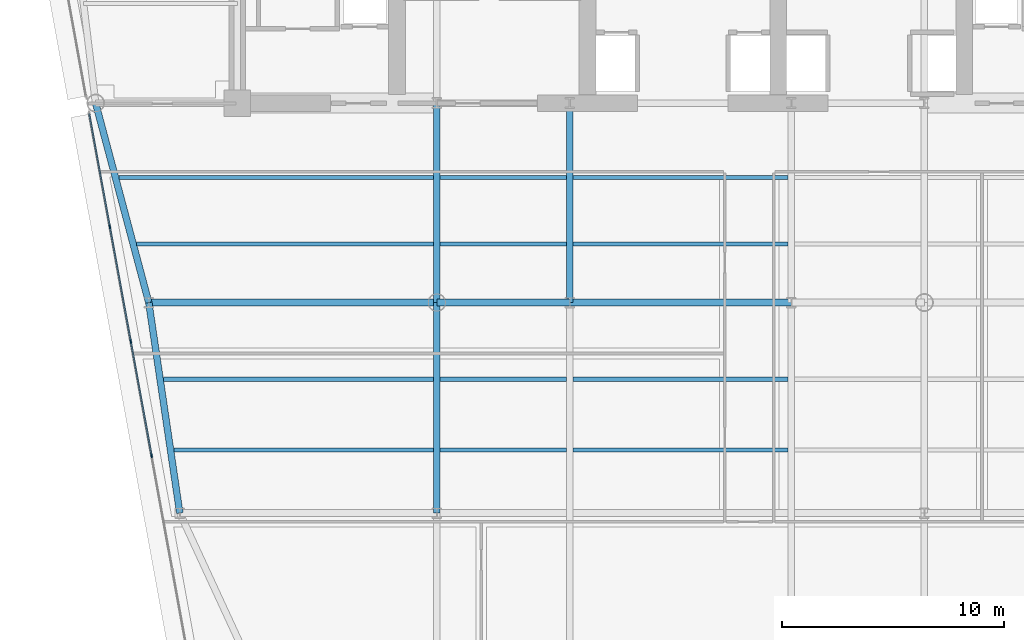
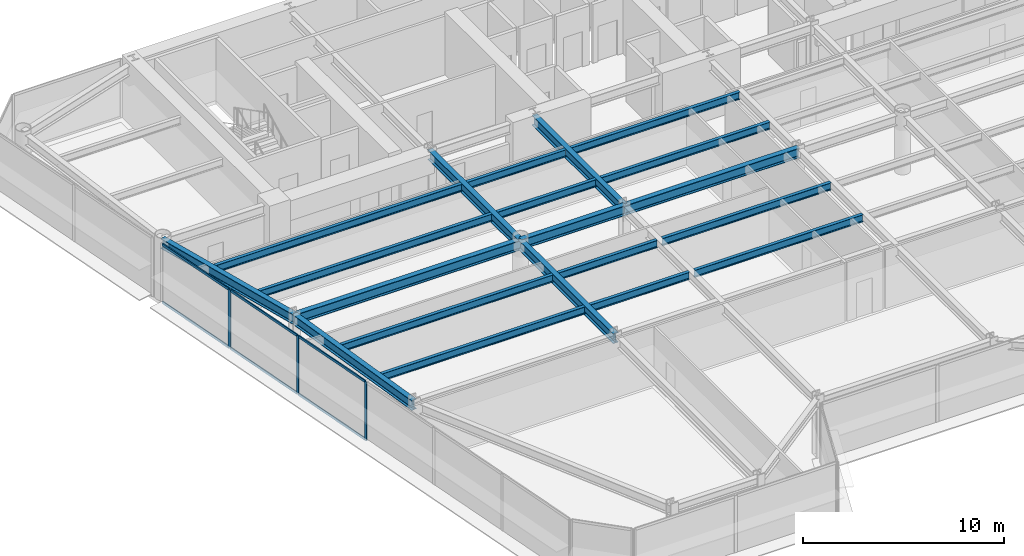
# One storey, part 4 of 17: 20 beams, 9 members, 1 element without a shape of its own.
"""IFC4 building model written with IfcOpenShell, lengths in metres."""

from ifc_helpers import new_model, si_unit, direction, frame, origin, origin_2d, place, context, subcontext, project, spatial, rectangle, i_section, extrude, source, transform, mapped, material, layer, layer_set, material_profile, profile_set, type_object, element, aggregate, save


model = new_model("IFC4")

# Units and contexts
model_context = context("Model", 3, precision=1e-05, world=origin(), true_north=direction((0.0, 1.0)))
body_context = subcontext(model_context, "Body", "Model", "MODEL_VIEW")
ifc_project = project(units=[si_unit("LENGTHUNIT", "METRE"), si_unit("AREAUNIT", "SQUARE_METRE"), si_unit("VOLUMEUNIT", "CUBIC_METRE"), si_unit("PLANEANGLEUNIT", "RADIAN"), si_unit("MASSUNIT", "GRAM", prefix="KILO")], contexts=[model_context])

# Site, building, storey
site_placement = place(None, origin())
site = spatial("IfcSite", under=ifc_project, at=site_placement, CompositionType="ELEMENT")
building_placement = place(site_placement, origin())
building = spatial("IfcBuilding", under=site, at=building_placement, Name="Vaeldorn Concourse Tower", CompositionType="ELEMENT")
storey_placement = place(building_placement, frame((0.0, 0.0, 165.199951171875)))
storey = spatial("IfcBuildingStorey", under=building, at=storey_placement, Name="L42", CompositionType="ELEMENT", Elevation=165.199951171875)

# Beams
ifc_material_1 = material(Name="Steel S355", Category="steel")
ifc_material_profile_1 = material_profile(ifc_material_1, i_section(OverallWidth=0.18994140625, OverallDepth=0.449951171875, WebThickness=0.009521484375, FlangeThickness=0.0146484375, FilletRadius=0.02099609375, at=origin_2d()), Name="IPE 450")
ifc_profile_set_1 = profile_set([ifc_material_profile_1], Name="Steel S355")
beam_type_1 = type_object("IfcBeamType", Name="BM-JS-IPE450", PredefinedType="JOIST", material=ifc_profile_set_1)
shared_shape_1 = source(origin(), body_context, "Body", "SweptSolid", [
    extrude(i_section(OverallWidth=0.18994140625, OverallDepth=0.449951171875, WebThickness=0.009521484375, FlangeThickness=0.0146484375, FilletRadius=0.02099609375, at=origin_2d()), origin(), (0.0, 0.0, 1.0), 11.718505859375),
])
beam_1_placement = place(storey_placement, frame((11.131591796875, 20.840087890625, 3.35498046875), z_axis=(1.0, 0.0, 0.0), x_axis=(0.0, 1.0, 0.0)))
element("IfcBeam", 1, at=beam_1_placement, inside=storey, type_object=beam_type_1, Name="Beam JS-L42-W1-208", PredefinedType="JOIST", context=body_context, shape_type="MappedRepresentation", body=[
    mapped(shared_shape_1, transform((0.0, 0.0, 0.0), scale=1.0)),
])
shared_shape_2 = source(origin(), body_context, "Body", "SweptSolid", [
    extrude(i_section(OverallWidth=0.18994140625, OverallDepth=0.449951171875, WebThickness=0.009521484375, FlangeThickness=0.0146484375, FilletRadius=0.02099609375, at=origin_2d()), origin(), (0.0, 0.0, 1.0), 5.7001953125),
])
for number, where, z_axis, x_axis, name in (
    (2, (23.14990234375, 20.840087890625, 3.35498046875), (1.0, 0.0, 0.0), (0.0, 1.0, 0.0), "Beam JS-L42-W2-208"),
    (3, (23.14990234375, 24.0400390625, 3.35498046875), (1.0, 0.0, 0.0), (0.0, 1.0, 0.0), "Beam JS-L42-W2-240"),
    (4, (23.14990234375, 30.139892578125, 3.35498046875), (1.0, 0.0, 0.0), (0.0, 1.0, 0.0), "Beam JS-L42-W2-301"),
    (5, (23.14990234375, 33.139892578125, 3.35498046875), (1.0, 0.0, 0.0), (0.0, 1.0, 0.0), "Beam JS-L42-W2-331"),
):
    element("IfcBeam", number, at=place(storey_placement, frame(where, z_axis=z_axis, x_axis=x_axis)), inside=storey, type_object=beam_type_1, Name=name, PredefinedType="JOIST", context=body_context, shape_type="MappedRepresentation", body=[
        mapped(shared_shape_2, transform((0.0, 0.0, 0.0), scale=1.0)),
    ])
shared_shape_3 = source(origin(), body_context, "Body", "SweptSolid", [
    extrude(i_section(OverallWidth=0.18994140625, OverallDepth=0.449951171875, WebThickness=0.009521484375, FlangeThickness=0.0146484375, FilletRadius=0.02099609375, at=origin_2d()), origin(), (0.0, 0.0, 1.0), 9.7001953125),
])
for number, where, z_axis, x_axis, name in (
    (6, (29.14990234375, 20.840087890625, 3.35498046875), (1.0, 0.0, 0.0), (0.0, 1.0, 0.0), "Beam JS-L42-C-208"),
    (7, (29.14990234375, 24.0400390625, 3.35498046875), (1.0, 0.0, 0.0), (0.0, 1.0, 0.0), "Beam JS-L42-C-240"),
    (8, (29.14990234375, 30.139892578125, 3.35498046875), (1.0, 0.0, 0.0), (0.0, 1.0, 0.0), "Beam JS-L42-C-301"),
    (9, (29.14990234375, 33.139892578125, 3.35498046875), (1.0, 0.0, 0.0), (0.0, 1.0, 0.0), "Beam JS-L42-C-331"),
):
    element("IfcBeam", number, at=place(storey_placement, frame(where, z_axis=z_axis, x_axis=x_axis)), inside=storey, type_object=beam_type_1, Name=name, PredefinedType="JOIST", context=body_context, shape_type="MappedRepresentation", body=[
        mapped(shared_shape_3, transform((0.0, 0.0, 0.0), scale=1.0)),
    ])
shared_shape_4 = source(origin(), body_context, "Body", "SweptSolid", [
    extrude(i_section(OverallWidth=0.18994140625, OverallDepth=0.449951171875, WebThickness=0.009521484375, FlangeThickness=0.0146484375, FilletRadius=0.02099609375, at=origin_2d()), origin(), (0.0, 0.0, 1.0), 12.190185546875),
])
beam_2_placement = place(storey_placement, frame((10.659912109375, 24.0400390625, 3.35498046875), z_axis=(1.0, 0.0, 0.0), x_axis=(0.0, 1.0, 0.0)))
element("IfcBeam", 10, at=beam_2_placement, inside=storey, type_object=beam_type_1, Name="Beam JS-L42-W1-240", PredefinedType="JOIST", context=body_context, shape_type="MappedRepresentation", body=[
    mapped(shared_shape_4, transform((0.0, 0.0, 0.0), scale=1.0)),
])
shared_shape_5 = source(origin(), body_context, "Body", "SweptSolid", [
    extrude(i_section(OverallWidth=0.18994140625, OverallDepth=0.449951171875, WebThickness=0.009521484375, FlangeThickness=0.0146484375, FilletRadius=0.02099609375, at=origin_2d()), origin(), (0.0, 0.0, 1.0), 13.404052734375),
])
beam_3_placement = place(storey_placement, frame((9.446044921875, 30.139892578125, 3.35498046875), z_axis=(1.0, 0.0, 0.0), x_axis=(0.0, 1.0, 0.0)))
element("IfcBeam", 11, at=beam_3_placement, inside=storey, type_object=beam_type_1, Name="Beam JS-L42-W1-301", PredefinedType="JOIST", context=body_context, shape_type="MappedRepresentation", body=[
    mapped(shared_shape_5, transform((0.0, 0.0, 0.0), scale=1.0)),
])
shared_shape_6 = source(origin(), body_context, "Body", "SweptSolid", [
    extrude(i_section(OverallWidth=0.18994140625, OverallDepth=0.449951171875, WebThickness=0.009521484375, FlangeThickness=0.0146484375, FilletRadius=0.02099609375, at=origin_2d()), origin(), (0.0, 0.0, 1.0), 14.2041015625),
])
beam_4_placement = place(storey_placement, frame((8.64599609375, 33.139892578125, 3.35498046875), z_axis=(1.0, 0.0, 0.0), x_axis=(0.0, 1.0, 0.0)))
element("IfcBeam", 12, at=beam_4_placement, inside=storey, type_object=beam_type_1, Name="Beam JS-L42-W1-331", PredefinedType="JOIST", context=body_context, shape_type="MappedRepresentation", body=[
    mapped(shared_shape_6, transform((0.0, 0.0, 0.0), scale=1.0)),
])
ifc_material_profile_2 = material_profile(ifc_material_1, i_section(OverallWidth=0.300048828125, OverallDepth=0.60009765625, WebThickness=0.015380859375, FlangeThickness=0.030029296875, FilletRadius=0.027099609375, at=origin_2d()), Name="HEB 600")
ifc_profile_set_2 = profile_set([ifc_material_profile_2], Name="Steel S355")
beam_type_2 = type_object("IfcBeamType", Name="BM-PG-HEB600", PredefinedType="BEAM", material=ifc_profile_set_2)
shared_shape_7 = source(origin(), body_context, "Body", "SweptSolid", [
    extrude(i_section(OverallWidth=0.300048828125, OverallDepth=0.60009765625, WebThickness=0.015380859375, FlangeThickness=0.030029296875, FilletRadius=0.027099609375, at=origin_2d()), origin(), (0.0, 0.0, 1.0), 6.0),
])
beam_5_placement = place(storey_placement, frame((23.0, 27.5, 3.280029296875), z_axis=(1.0, 0.0, 0.0), x_axis=(0.0, 1.0, 0.0)))
element("IfcBeam", 13, at=beam_5_placement, inside=storey, type_object=beam_type_2, Name="Beam BM-L42-C-TW1-C-TW2", PredefinedType="BEAM", context=body_context, shape_type="MappedRepresentation", body=[
    mapped(shared_shape_7, transform((0.0, 0.0, 0.0), scale=1.0)),
])
shared_shape_8 = source(origin(), body_context, "Body", "SweptSolid", [
    extrude(i_section(OverallWidth=0.300048828125, OverallDepth=0.60009765625, WebThickness=0.015380859375, FlangeThickness=0.030029296875, FilletRadius=0.027099609375, at=origin_2d()), origin(), (0.0, 0.0, 1.0), 10.0),
])
beam_6_placement = place(storey_placement, frame((29.0, 27.5, 3.280029296875), z_axis=(1.0, 0.0, 0.0), x_axis=(0.0, 1.0, 0.0)))
element("IfcBeam", 14, at=beam_6_placement, inside=storey, type_object=beam_type_2, Name="Beam BM-L42-C-TW2-C-TW3", PredefinedType="BEAM", context=body_context, shape_type="MappedRepresentation", body=[
    mapped(shared_shape_8, transform((0.0, 0.0, 0.0), scale=1.0)),
])
shared_shape_9 = source(origin(), body_context, "Body", "SweptSolid", [
    extrude(i_section(OverallWidth=0.300048828125, OverallDepth=0.60009765625, WebThickness=0.015380859375, FlangeThickness=0.030029296875, FilletRadius=0.027099609375, at=origin_2d()), origin(), (0.0, 0.0, 1.0), 9.0),
])
for number, where, z_axis, x_axis, name in (
    (15, (23.0, 27.5, 3.280029296875), (0.0, 1.0, 0.0), (-1.0, 0.0, 0.0), "Beam BM-L42-C-TW1-C-FC2"),
    (16, (29.0, 27.5, 3.280029296875), (0.0, 1.0, 0.0), (-1.0, 0.0, 0.0), "Beam BM-L42-C-TW2-C-FC3"),
):
    element("IfcBeam", number, at=place(storey_placement, frame(where, z_axis=z_axis, x_axis=x_axis)), inside=storey, type_object=beam_type_2, Name=name, PredefinedType="BEAM", context=body_context, shape_type="MappedRepresentation", body=[
        mapped(shared_shape_9, transform((0.0, 0.0, 0.0), scale=1.0)),
    ])
shared_shape_10 = source(origin(), body_context, "Body", "SweptSolid", [
    extrude(i_section(OverallWidth=0.300048828125, OverallDepth=0.60009765625, WebThickness=0.015380859375, FlangeThickness=0.030029296875, FilletRadius=0.027099609375, at=origin_2d()), origin(), (0.0, 0.0, 1.0), 9.314453125),
])
beam_7_placement = place(storey_placement, frame((7.60009765625, 36.5, 3.280029296875), z_axis=(0.257652862255, -0.966237549763, 0.0), x_axis=(0.966237549763, 0.257652862255, 0.0)))
element("IfcBeam", 17, at=beam_7_placement, inside=storey, type_object=beam_type_2, Name="Beam BM-L42-C-NW2-C-FLW1", PredefinedType="BEAM", context=body_context, shape_type="MappedRepresentation", body=[
    mapped(shared_shape_10, transform((0.0, 0.0, 0.0), scale=1.0)),
])
shared_shape_11 = source(origin(), body_context, "Body", "SweptSolid", [
    extrude(i_section(OverallWidth=0.300048828125, OverallDepth=0.60009765625, WebThickness=0.015380859375, FlangeThickness=0.030029296875, FilletRadius=0.027099609375, at=origin_2d()), origin(), (0.0, 0.0, 1.0), 13.0),
])
beam_8_placement = place(storey_placement, frame((10.0, 27.5, 3.280029296875), z_axis=(1.0, 0.0, 0.0), x_axis=(0.0, 1.0, 0.0)))
element("IfcBeam", 18, at=beam_8_placement, inside=storey, type_object=beam_type_2, Name="Beam BM-L42-C-FLW1-C-TW1", PredefinedType="BEAM", context=body_context, shape_type="MappedRepresentation", body=[
    mapped(shared_shape_11, transform((0.0, 0.0, 0.0), scale=1.0)),
])
shared_shape_12 = source(origin(), body_context, "Body", "SweptSolid", [
    extrude(i_section(OverallWidth=0.300048828125, OverallDepth=0.60009765625, WebThickness=0.015380859375, FlangeThickness=0.030029296875, FilletRadius=0.027099609375, at=origin_2d()), origin(), (0.0, 0.0, 1.0), 9.6025390625),
])
beam_9_placement = place(storey_placement, frame((10.0, 27.5, 3.280029296875), z_axis=(0.145783835977, -0.989316467652, 0.0), x_axis=(0.989316467652, 0.145783835977, 0.0)))
element("IfcBeam", 19, at=beam_9_placement, inside=storey, type_object=beam_type_2, Name="Beam BM-L42-C-FLW1-C-FLW2", PredefinedType="BEAM", context=body_context, shape_type="MappedRepresentation", body=[
    mapped(shared_shape_12, transform((0.0, 0.0, 0.0), scale=1.0)),
])
shared_shape_13 = source(origin(), body_context, "Body", "SweptSolid", [
    extrude(i_section(OverallWidth=0.300048828125, OverallDepth=0.60009765625, WebThickness=0.015380859375, FlangeThickness=0.030029296875, FilletRadius=0.027099609375, at=origin_2d()), origin(), (0.0, 0.0, 1.0), 9.5),
])
beam_10_placement = place(storey_placement, frame((23.0, 18.0, 3.280029296875), z_axis=(0.0, 1.0, 0.0), x_axis=(-1.0, 0.0, 0.0)))
element("IfcBeam", 20, at=beam_10_placement, inside=storey, type_object=beam_type_2, Name="Beam BM-L42-C-TW5-C-TW1", PredefinedType="BEAM", context=body_context, shape_type="MappedRepresentation", body=[
    mapped(shared_shape_13, transform((0.0, 0.0, 0.0), scale=1.0)),
])

# Curtain wall, members
ifc_material_2 = material(Name="Anodised Bronze Aluminium", Category="aluminium")
ifc_layer = layer(ifc_material_2, 0.18994140625)
ifc_layer_set = layer_set([ifc_layer], Name="Anodised Bronze Aluminium")
curtain_wall_type = type_object("IfcCurtainWallType", Name="CW-SYS-03", PredefinedType="NOTDEFINED", material=ifc_layer_set)
curtain_wall_placement = place(storey_placement, origin())
curtain_wall = element("IfcCurtainWall", 21, at=curtain_wall_placement, inside=storey, type_object=curtain_wall_type, Name="Unitised Curtain Wall CW-L42-E11-2", PredefinedType="NOTDEFINED")
ifc_material_profile_3 = material_profile(ifc_material_2, rectangle(XDim=0.06494140625, YDim=0.14990234375, at=origin_2d()), Name="CWT 65x150")
ifc_profile_set_3 = profile_set([ifc_material_profile_3], Name="Anodised Bronze Aluminium")
member_type_1 = type_object("IfcMemberType", Name="CWT-BRONZE-150", PredefinedType="USERDEFINED", material=ifc_profile_set_3)
shared_shape_14 = source(origin(), body_context, "Body", "SweptSolid", [
    extrude(rectangle(XDim=0.06494140625, YDim=0.14990234375, at=origin_2d()), origin(), (0.0, 0.0, 1.0), 5.151611328125),
])
member_1_placement = place(storey_placement, frame((7.31298828125, 36.01953125, 0.032470703125), z_axis=(0.179473445995, -0.983762818053, 0.0), x_axis=(0.983762818053, 0.179473445995, 0.0)))
member_1 = element("IfcMember", 22, at=member_1_placement, type_object=member_type_1, Name="CW-03 transom 1.1", ObjectType="TRANSOM", PredefinedType="USERDEFINED", context=body_context, shape_type="MappedRepresentation", body=[
    mapped(shared_shape_14, transform((0.0, 0.0, 0.0), scale=1.0)),
])
member_2_placement = place(storey_placement, frame((7.31298828125, 36.01953125, 3.547607421875), z_axis=(0.179473445995, -0.983762818053, 0.0), x_axis=(0.983762818053, 0.179473445995, 0.0)))
member_2 = element("IfcMember", 23, at=member_2_placement, type_object=member_type_1, Name="CW-03 transom 1.2", ObjectType="TRANSOM", PredefinedType="USERDEFINED", context=body_context, shape_type="MappedRepresentation", body=[
    mapped(shared_shape_14, transform((0.0, 0.0, 0.0), scale=1.0)),
])
shared_shape_15 = source(origin(), body_context, "Body", "SweptSolid", [
    extrude(rectangle(XDim=0.06494140625, YDim=0.14990234375, at=origin_2d()), origin(), (0.0, 0.0, 1.0), 5.18408203125),
])
member_3_placement = place(storey_placement, frame((9.191162109375, 25.7236328125, 0.032470703125), z_axis=(0.179432467646, -0.983770293084, 0.0), x_axis=(0.983770293084, 0.179432467646, 0.0)))
member_3 = element("IfcMember", 24, at=member_3_placement, type_object=member_type_1, Name="CW-03 transom 3.1", ObjectType="TRANSOM", PredefinedType="USERDEFINED", context=body_context, shape_type="MappedRepresentation", body=[
    mapped(shared_shape_15, transform((0.0, 0.0, 0.0), scale=1.0)),
])
member_4_placement = place(storey_placement, frame((9.191162109375, 25.7236328125, 3.547607421875), z_axis=(0.179432467646, -0.983770293084, 0.0), x_axis=(0.983770293084, 0.179432467646, 0.0)))
member_4 = element("IfcMember", 25, at=member_4_placement, type_object=member_type_1, Name="CW-03 transom 3.2", ObjectType="TRANSOM", PredefinedType="USERDEFINED", context=body_context, shape_type="MappedRepresentation", body=[
    mapped(shared_shape_15, transform((0.0, 0.0, 0.0), scale=1.0)),
])
shared_shape_16 = source(origin(), body_context, "Body", "SweptSolid", [
    extrude(rectangle(XDim=0.06494140625, YDim=0.14990234375, at=origin_2d()), origin(), (0.0, 0.0, 1.0), 5.184326171875),
])
member_5_placement = place(storey_placement, frame((8.249267578125, 30.8876953125, 0.032470703125), z_axis=(0.179424154775, -0.983771809254, 0.0), x_axis=(0.983771809254, 0.179424154775, 0.0)))
member_5 = element("IfcMember", 26, at=member_5_placement, type_object=member_type_1, Name="CW-03 transom 2.1", ObjectType="TRANSOM", PredefinedType="USERDEFINED", context=body_context, shape_type="MappedRepresentation", body=[
    mapped(shared_shape_16, transform((0.0, 0.0, 0.0), scale=1.0)),
])
member_6_placement = place(storey_placement, frame((8.249267578125, 30.8876953125, 3.547607421875), z_axis=(0.179424154775, -0.983771809254, 0.0), x_axis=(0.983771809254, 0.179424154775, 0.0)))
member_6 = element("IfcMember", 27, at=member_6_placement, type_object=member_type_1, Name="CW-03 transom 2.2", ObjectType="TRANSOM", PredefinedType="USERDEFINED", context=body_context, shape_type="MappedRepresentation", body=[
    mapped(shared_shape_16, transform((0.0, 0.0, 0.0), scale=1.0)),
])
ifc_material_profile_4 = material_profile(ifc_material_2, rectangle(XDim=0.06494140625, YDim=0.169921875, at=origin_2d()), Name="CWM 65x170")
ifc_profile_set_4 = profile_set([ifc_material_profile_4], Name="Anodised Bronze Aluminium")
member_type_2 = type_object("IfcMemberType", Name="CWM-BRONZE-170", PredefinedType="MULLION", material=ifc_profile_set_4)
shared_shape_17 = source(origin(), body_context, "Body", "SweptSolid", [
    extrude(rectangle(XDim=0.06494140625, YDim=0.169921875, at=origin_2d()), origin(), (0.0, 0.0, 1.0), 3.580078125),
])
member_7_placement = place(storey_placement, frame((8.243408203125, 30.919677734375, 0.0), z_axis=(0.0, 0.0, 1.0), x_axis=(0.983767841325, 0.179445909331, 0.0)))
member_7 = element("IfcMember", 28, at=member_7_placement, type_object=member_type_2, Name="CW-03 mullion 2", PredefinedType="MULLION", context=body_context, shape_type="MappedRepresentation", body=[
    mapped(shared_shape_17, transform((0.0, 0.0, 0.0), scale=1.0)),
])
member_8_placement = place(storey_placement, frame((9.185302734375, 25.755615234375, 0.0), z_axis=(0.0, 0.0, 1.0), x_axis=(0.983767841325, 0.179445909331, 0.0)))
member_8 = element("IfcMember", 29, at=member_8_placement, type_object=member_type_2, Name="CW-03 mullion 3", PredefinedType="MULLION", context=body_context, shape_type="MappedRepresentation", body=[
    mapped(shared_shape_17, transform((0.0, 0.0, 0.0), scale=1.0)),
])
member_9_placement = place(storey_placement, frame((10.127197265625, 20.591796875, 0.0), z_axis=(0.0, 0.0, 1.0), x_axis=(0.983767841325, 0.179445909331, 0.0)))
member_9 = element("IfcMember", 30, at=member_9_placement, type_object=member_type_2, Name="CW-03 mullion 4", PredefinedType="MULLION", context=body_context, shape_type="MappedRepresentation", body=[
    mapped(shared_shape_17, transform((0.0, 0.0, 0.0), scale=1.0)),
])
aggregate(curtain_wall, [member_7, member_8, member_9, member_1, member_2, member_5, member_6, member_3, member_4])

save(model, "model.ifc")
